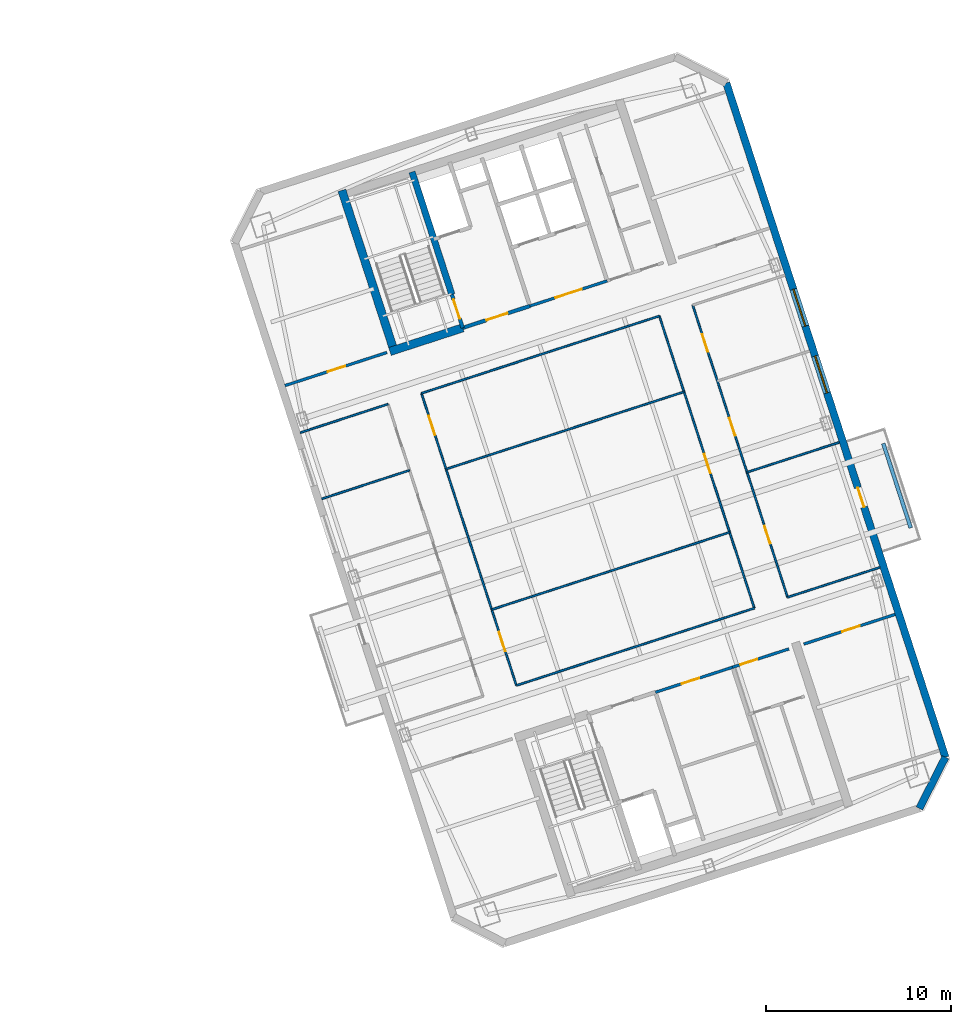
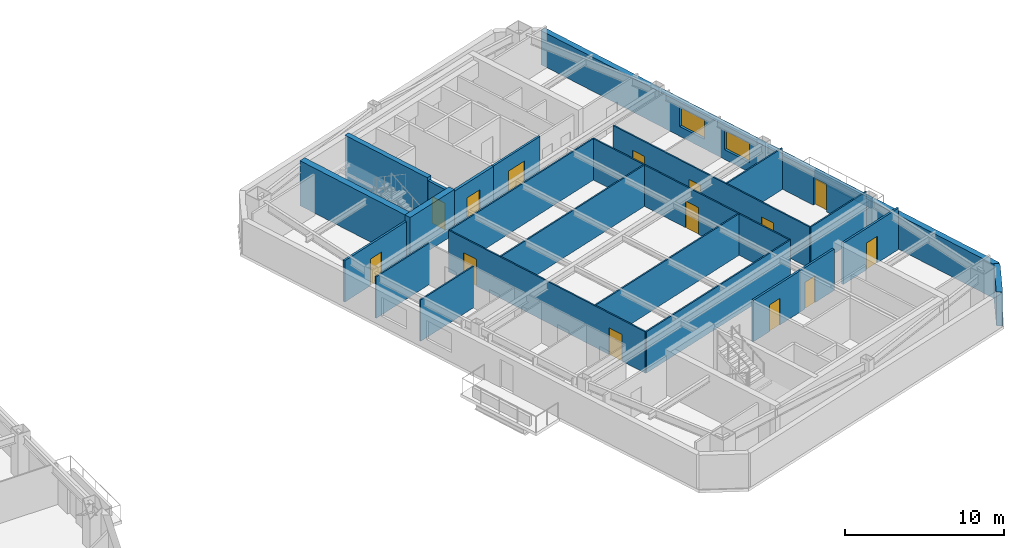
# One storey, part 9 of 15: 24 walls, 14 doors, 2 windows, 16 openings.
"""IFC4 building model written with IfcOpenShell, lengths in metres."""

from ifc_helpers import new_model, si_unit, direction, frame, frame_2d, origin, place, context, subcontext, project, spatial, rectangle, extrude, material, layer, layer_set, type_object, element, fill, save


model = new_model("IFC4")

# Units and contexts
model_context = context("Model", 3, precision=1e-05, world=origin(), true_north=direction((0.0, 1.0)))
body_context = subcontext(model_context, "Body", "Model", "MODEL_VIEW")
ifc_project = project(units=[si_unit("LENGTHUNIT", "METRE"), si_unit("AREAUNIT", "SQUARE_METRE"), si_unit("VOLUMEUNIT", "CUBIC_METRE"), si_unit("PLANEANGLEUNIT", "RADIAN"), si_unit("MASSUNIT", "GRAM", prefix="KILO")], contexts=[model_context])

# Site, building, storey
site_placement = place(None, origin())
site = spatial("IfcSite", under=ifc_project, at=site_placement, CompositionType="ELEMENT")
building_placement = place(site_placement, origin())
building = spatial("IfcBuilding", under=site, at=building_placement, Name="Qiaolan Cultural Towers", CompositionType="ELEMENT")
storey_placement = place(building_placement, frame((0.0, 0.0, 209.300048828125)))
storey = spatial("IfcBuildingStorey", under=building, at=storey_placement, Name="L56", CompositionType="ELEMENT", Elevation=209.300048828125)

# Walls
ifc_material_1 = material(Name="Concrete C50", Category="concrete")
ifc_layer_1 = layer(ifc_material_1, 0.35009765625)
ifc_layer_set_1 = layer_set([ifc_layer_1], Name="Concrete C50")
wall_type_1 = type_object("IfcWallType", Name="WL-CORE-350", PredefinedType="SHEAR", material=ifc_layer_set_1)
wall_1_placement = place(storey_placement, frame((82.513671875, 45.13134765625, 0.0), z_axis=(0.0, 0.0, 1.0), x_axis=(-0.308988790936, 0.951065679686, 0.0)))
element("IfcWall", 1, at=wall_1_placement, inside=storey, type_object=wall_type_1, Name="L56 T2-CN Stair Core Dividing Web", PredefinedType="SHEAR", context=body_context, shape_type="SweptSolid", body=[
    extrude(rectangle(XDim=6.97998046875, YDim=0.35009765625, at=frame_2d((3.489990234375, 0.0))), origin(), (0.0, 0.0, 1.0), 3.449951171875),
])
ifc_material_2 = material(Name="Concrete C50", Category="concrete")
ifc_layer_2 = layer(ifc_material_2, 0.449951171875)
ifc_layer_set_2 = layer_set([ifc_layer_2], Name="Concrete C50")
wall_type_2 = type_object("IfcWallType", Name="WL-CORE-450", PredefinedType="SHEAR", material=ifc_layer_set_2)
wall_2_placement = place(storey_placement, frame((79.4423828125, 41.899169921875, 0.0), z_axis=(0.0, 0.0, 1.0), x_axis=(-0.309035778627, 0.951050412717, 0.0)))
element("IfcWall", 2, at=wall_2_placement, inside=storey, type_object=wall_type_2, Name="L56 T2-CN West Core Shear Wall", PredefinedType="SHEAR", context=body_context, shape_type="SweptSolid", body=[
    extrude(rectangle(XDim=9.330078125, YDim=0.449951171875, at=frame_2d((4.6650390625, 0.0))), origin(), (0.0, 0.0, 1.0), 3.449951171875),
])
wall_3_placement = place(storey_placement, frame((79.15869140625, 42.04345703125, 0.0), z_axis=(0.0, 0.0, 1.0), x_axis=(0.951047485828, 0.309044785913, 0.0)))
element("IfcWall", 3, at=wall_3_placement, inside=storey, type_object=wall_type_2, Name="L56 T2-CN Stair Front Shear Wall", PredefinedType="SHEAR", context=body_context, shape_type="SweptSolid", body=[
    extrude(rectangle(XDim=4.14501953125, YDim=0.449951171875, at=frame_2d((2.072509765625, 0.0))), origin(), (0.0, 0.0, 1.0), 3.449951171875),
])

# Wall, openings, door, windows
ifc_material_3 = material(Name="Precast Concrete C50 Honed Stone Pier", Category="masonry")
ifc_layer_3 = layer(ifc_material_3, 0.39990234375)
ifc_layer_set_3 = layer_set([ifc_layer_3], Name="Precast Concrete C50 Honed Stone Pier")
wall_type_3 = type_object("IfcWallType", Name="WL-EXT-PIER-400", PredefinedType="SOLIDWALL", material=ifc_layer_set_3)
wall_4_placement = place(storey_placement, frame((97.381591796875, 56.58642578125, 0.0), z_axis=(0.0, 0.0, 1.0), x_axis=(0.309016491071, -0.951056679828, 0.0)))
wall_4 = element("IfcWall", 4, at=wall_4_placement, inside=storey, type_object=wall_type_3, Name="L56 East Tower Precast Pier Facade Wall F5", PredefinedType="SOLIDWALL", context=body_context, shape_type="SweptSolid", body=[
    extrude(rectangle(XDim=38.39990234375, YDim=0.39990234375, at=frame_2d((19.199951171875, 0.0))), origin(), (0.0, 0.0, 1.0), 2.60986328125),
])
opening_1_placement = place(wall_4_placement, frame((15.550048828125, 0.0, 0.75)))
opening_1 = element("IfcOpeningElement", 5, at=opening_1_placement, cuts=wall_4, Name="Opening W-05", PredefinedType="OPENING", context=body_context, shape_type="SweptSolid", body=[
    extrude(rectangle(XDim=2.10009765625, YDim=1.4599609375, at=frame_2d((1.050048828125, 0.72998046875))), frame((0.0, 0.2099609375, 0.0), z_axis=(0.0, -1.0, 0.0), x_axis=(1.0, 0.0, 0.0)), (0.0, 0.0, 1.0), 0.419921875),
])
opening_2_placement = place(wall_4_placement, frame((11.75, 0.0, 0.75)))
opening_2 = element("IfcOpeningElement", 6, at=opening_2_placement, cuts=wall_4, Name="Opening W-05", PredefinedType="OPENING", context=body_context, shape_type="SweptSolid", body=[
    extrude(rectangle(XDim=2.10009765625, YDim=1.4599609375, at=frame_2d((1.050048828125, 0.72998046875))), frame((0.0, 0.2099609375, 0.0), z_axis=(0.0, -1.0, 0.0), x_axis=(1.0, 0.0, 0.0)), (0.0, 0.0, 1.0), 0.419921875),
])
opening_3_placement = place(wall_4_placement, frame((23.050048828125, 0.0, 0.0)))
opening_3 = element("IfcOpeningElement", 7, at=opening_3_placement, cuts=wall_4, Name="Opening BD-01", PredefinedType="OPENING", context=body_context, shape_type="SweptSolid", body=[
    extrude(rectangle(XDim=1.10009765625, YDim=2.14990234375, at=frame_2d((0.550048828125, 1.074951171875))), frame((0.0, 0.2099609375, 0.0), z_axis=(0.0, -1.0, 0.0), x_axis=(1.0, 0.0, 0.0)), (0.0, 0.0, 1.0), 0.419921875),
])
ifc_material_4 = material(Name="Thermally Broken Aluminium Glazed Terrace Door", Category="aluminium")
door_type_1 = type_object("IfcDoorType", Name="DR-BAL-1100", OperationType="NOTDEFINED", PredefinedType="DOOR", material=ifc_material_4)
door_1_placement = place(opening_3_placement, origin())
door_1 = element("IfcDoor", 8, at=door_1_placement, inside=storey, type_object=door_type_1, Name="L56 T2 East Tree Balcony Door", OperationType="SINGLE_SWING_RIGHT", OverallHeight=2.14990234375, OverallWidth=1.10009765625, PredefinedType="DOOR", context=body_context, shape_type="SweptSolid", body=[
    extrude(rectangle(XDim=1.10009765625, YDim=2.14990234375, at=frame_2d((0.550048828125, 1.074951171875))), frame((0.0, 0.02490234375, 0.0), z_axis=(0.0, -1.0, 0.0), x_axis=(1.0, 0.0, 0.0)), (0.0, 0.0, 1.0), 0.050048828125),
])
fill(opening_3, door_1)
ifc_material_5 = material(Name="Thermally Broken Aluminium Triple Low-E Glazing", Category="aluminium")
window_type = type_object("IfcWindowType", Name="WN-CHIC-2100", PartitioningType="SINGLE_PANEL", PredefinedType="WINDOW", material=ifc_material_5)
window_1_placement = place(opening_1_placement, origin())
window_1 = element("IfcWindow", 9, at=window_1_placement, inside=storey, type_object=window_type, Name="L56 T2 E Chicago Bay Window 1", OverallHeight=1.4599609375, OverallWidth=2.10009765625, PartitioningType="TRIPLE_PANEL_VERTICAL", PredefinedType="WINDOW", context=body_context, shape_type="SweptSolid", body=[
    extrude(rectangle(XDim=2.10009765625, YDim=1.4599609375, at=frame_2d((1.050048828125, 0.72998046875))), frame((0.0, 0.030029296875, 0.0), z_axis=(0.0, -1.0, 0.0), x_axis=(1.0, 0.0, 0.0)), (0.0, 0.0, 1.0), 0.06005859375),
])
fill(opening_1, window_1)
window_2_placement = place(opening_2_placement, origin())
window_2 = element("IfcWindow", 10, at=window_2_placement, inside=storey, type_object=window_type, Name="L56 T2 E Chicago Bay Window 2", OverallHeight=1.4599609375, OverallWidth=2.10009765625, PartitioningType="TRIPLE_PANEL_VERTICAL", PredefinedType="WINDOW", context=body_context, shape_type="SweptSolid", body=[
    extrude(rectangle(XDim=2.10009765625, YDim=1.4599609375, at=frame_2d((1.050048828125, 0.72998046875))), frame((0.0, 0.030029296875, 0.0), z_axis=(0.0, -1.0, 0.0), x_axis=(1.0, 0.0, 0.0)), (0.0, 0.0, 1.0), 0.06005859375),
])
fill(opening_2, window_2)

# Wall
wall_5_placement = place(storey_placement, frame((109.247802734375, 20.06591796875, 0.0), z_axis=(0.0, 0.0, 1.0), x_axis=(-0.453949291228, -0.891027519774, 0.0)))
element("IfcWall", 11, at=wall_5_placement, inside=storey, type_object=wall_type_3, Name="L56 East Tower Precast Pier Facade Wall F6", PredefinedType="SOLIDWALL", context=body_context, shape_type="SweptSolid", body=[
    extrude(rectangle(XDim=3.111328125, YDim=0.39990234375, at=frame_2d((1.5556640625, 0.0))), origin(), (0.0, 0.0, 1.0), 2.60986328125),
])

# Wall, opening, door
ifc_material_6 = material(Name="Concrete C35 Fire Wall", Category="concrete")
ifc_layer_4 = layer(ifc_material_6, 0.199951171875)
ifc_layer_set_4 = layer_set([ifc_layer_4], Name="Concrete C35 Fire Wall")
wall_type_4 = type_object("IfcWallType", Name="WL-FIRE-200", PredefinedType="PARTITIONING", material=ifc_layer_set_4)
wall_6_placement = place(storey_placement, frame((83.100830078125, 43.324462890625, 0.0), z_axis=(0.0, 0.0, 1.0), x_axis=(-0.309048298632, 0.951046344356, 0.0)))
wall_6 = element("IfcWall", 12, at=wall_6_placement, inside=storey, type_object=wall_type_4, Name="L56 T2-CN Smokeproof Stair Entry Wall", PredefinedType="PARTITIONING", context=body_context, shape_type="SweptSolid", body=[
    extrude(rectangle(XDim=1.89990234375, YDim=0.199951171875, at=frame_2d((0.949951171875, 0.0))), origin(), (0.0, 0.0, 1.0), 3.175048828125),
])
opening_4_placement = place(wall_6_placement, frame((0.52001953125, 0.0, 0.0)))
opening_4 = element("IfcOpeningElement", 13, at=opening_4_placement, cuts=wall_6, Name="Opening FD-04", PredefinedType="OPENING", context=body_context, shape_type="SweptSolid", body=[
    extrude(rectangle(XDim=1.10009765625, YDim=2.050048828125, at=frame_2d((0.550048828125, 1.02490234375))), frame((0.0, 0.10986328125, 0.0), z_axis=(0.0, -1.0, 0.0), x_axis=(1.0, 0.0, 0.0)), (0.0, 0.0, 1.0), 0.219970703125),
])
ifc_material_7 = material(Name="Galvanized Steel Command Fire Door", Category="steel")
door_type_2 = type_object("IfcDoorType", Name="DR-FD90-1100", OperationType="NOTDEFINED", PredefinedType="DOOR", material=ifc_material_7)
door_2_placement = place(opening_4_placement, origin())
door_2 = element("IfcDoor", 14, at=door_2_placement, inside=storey, type_object=door_type_2, Name="L56 ST-E2 Smokeproof Stair Fire Door", OperationType="SINGLE_SWING_LEFT", OverallHeight=2.050048828125, OverallWidth=1.10009765625, PredefinedType="DOOR", context=body_context, shape_type="SweptSolid", body=[
    extrude(rectangle(XDim=1.10009765625, YDim=2.050048828125, at=frame_2d((0.550048828125, 1.02490234375))), frame((0.0, 0.02490234375, 0.0), z_axis=(0.0, -1.0, 0.0), x_axis=(1.0, 0.0, 0.0)), (0.0, 0.0, 1.0), 0.050048828125),
])
fill(opening_4, door_2)

wall_7_placement = place(storey_placement, frame((83.100830078125, 43.324462890625, 0.0), z_axis=(0.0, 0.0, 1.0), x_axis=(0.951052804469, 0.309028417967, 0.0)))
wall_7 = element("IfcWall", 15, at=wall_7_placement, inside=storey, type_object=wall_type_4, Name="L56 T2-CN Firefighting Lobby Front Wall", PredefinedType="PARTITIONING", context=body_context, shape_type="SweptSolid", body=[
    extrude(rectangle(XDim=3.830078125, YDim=0.199951171875, at=frame_2d((1.9150390625, 0.0))), origin(), (0.0, 0.0, 1.0), 3.175048828125),
])
opening_5_placement = place(wall_7_placement, frame((1.35009765625, 0.0, 0.0)))
opening_5 = element("IfcOpeningElement", 16, at=opening_5_placement, cuts=wall_7, Name="Opening FD-03", PredefinedType="OPENING", context=body_context, shape_type="SweptSolid", body=[
    extrude(rectangle(XDim=1.199951171875, YDim=2.050048828125, at=frame_2d((0.60009765625, 1.02490234375))), frame((0.0, 0.10986328125, 0.0), z_axis=(0.0, -1.0, 0.0), x_axis=(1.0, 0.0, 0.0)), (0.0, 0.0, 1.0), 0.219970703125),
])
ifc_material_8 = material(Name="Galvanized Steel Smokeproof Lobby Fire Door", Category="steel")
door_type_3 = type_object("IfcDoorType", Name="DR-FD90-1200", OperationType="NOTDEFINED", PredefinedType="DOOR", material=ifc_material_8)
door_3_placement = place(opening_5_placement, origin())
door_3 = element("IfcDoor", 17, at=door_3_placement, inside=storey, type_object=door_type_3, Name="L56 FFL-E2 Firefighting Lobby Fire Door", OperationType="SINGLE_SWING_LEFT", OverallHeight=2.050048828125, OverallWidth=1.199951171875, PredefinedType="DOOR", context=body_context, shape_type="SweptSolid", body=[
    extrude(rectangle(XDim=1.199951171875, YDim=2.050048828125, at=frame_2d((0.60009765625, 1.02490234375))), frame((0.0, 0.02490234375, 0.0), z_axis=(0.0, -1.0, 0.0), x_axis=(1.0, 0.0, 0.0)), (0.0, 0.0, 1.0), 0.050048828125),
])
fill(opening_5, door_3)

# Walls
ifc_material_9 = material(Name="Acoustic Double-Glazed Partition Frame", Category="glass")
ifc_layer_5 = layer(ifc_material_9, 0.10009765625)
ifc_layer_set_5 = layer_set([ifc_layer_5], Name="Acoustic Double-Glazed Partition Frame")
wall_type_5 = type_object("IfcWallType", Name="WL-GLAZED-100", PredefinedType="MOVABLE", material=ifc_layer_set_5)
wall_8_placement = place(storey_placement, frame((86.0087890625, 23.955078125, 0.0), z_axis=(0.0, 0.0, 1.0), x_axis=(0.951059488241, 0.309007847517, 0.0)))
element("IfcWall", 18, at=wall_8_placement, inside=storey, type_object=wall_type_5, Name="L56 T2 Interior Wall", PredefinedType="MOVABLE", context=body_context, shape_type="SweptSolid", body=[
    extrude(rectangle(XDim=13.5498046875, YDim=0.10009765625, at=frame_2d((6.77490234375, 0.0))), origin(), (0.0, 0.0, 1.0), 3.175048828125),
])
wall_9_placement = place(storey_placement, frame((100.70263671875, 28.729248046875, 0.0), z_axis=(0.0, 0.0, 1.0), x_axis=(0.951055596592, 0.309019824916, 0.0)))
element("IfcWall", 19, at=wall_9_placement, inside=storey, type_object=wall_type_5, Name="L56 T2 Interior Wall", PredefinedType="MOVABLE", context=body_context, shape_type="SweptSolid", body=[
    extrude(rectangle(XDim=5.249755859375, YDim=0.10009765625, at=frame_2d((2.625, 0.0))), origin(), (0.0, 0.0, 1.0), 3.175048828125),
])
wall_10_placement = place(storey_placement, frame((74.304443359375, 37.6484375, 0.0), z_axis=(0.0, 0.0, 1.0), x_axis=(0.951063130697, 0.308996636599, 0.0)))
element("IfcWall", 20, at=wall_10_placement, inside=storey, type_object=wall_type_5, Name="L56 T2 Interior Wall", PredefinedType="MOVABLE", context=body_context, shape_type="SweptSolid", body=[
    extrude(rectangle(XDim=4.999755859375, YDim=0.10009765625, at=frame_2d((2.5, 0.0))), origin(), (0.0, 0.0, 1.0), 3.175048828125),
])
wall_11_placement = place(storey_placement, frame((80.86669921875, 39.780517578125, 0.0), z_axis=(0.0, 0.0, 1.0), x_axis=(0.951054192928, 0.309024144872, 0.0)))
element("IfcWall", 21, at=wall_11_placement, inside=storey, type_object=wall_type_5, Name="L56 T2 Interior Wall", PredefinedType="MOVABLE", context=body_context, shape_type="SweptSolid", body=[
    extrude(rectangle(XDim=13.550048828125, YDim=0.10009765625, at=frame_2d((6.77490234375, 0.0))), origin(), (0.0, 0.0, 1.0), 3.175048828125),
])

# Wall, openings, doors
wall_12_placement = place(storey_placement, frame((86.0087890625, 23.955078125, 0.0), z_axis=(0.0, 0.0, 1.0), x_axis=(-0.309022042254, 0.951054876125, 0.0)))
wall_12 = element("IfcWall", 22, at=wall_12_placement, inside=storey, type_object=wall_type_5, Name="L56 T2 Interior Wall", PredefinedType="MOVABLE", context=body_context, shape_type="SweptSolid", body=[
    extrude(rectangle(XDim=16.639892578125, YDim=0.10009765625, at=frame_2d((8.31982421875, 0.0))), origin(), (0.0, 0.0, 1.0), 3.175048828125),
])
opening_6_placement = place(wall_12_placement, frame((1.944091796875, 0.0, 0.0)))
opening_6 = element("IfcOpeningElement", 23, at=opening_6_placement, cuts=wall_12, Name="Opening ID-03", PredefinedType="OPENING", context=body_context, shape_type="SweptSolid", body=[
    extrude(rectangle(XDim=1.10009765625, YDim=2.050048828125, at=frame_2d((0.550048828125, 1.02490234375))), frame((0.0, 0.06005859375, 0.0), z_axis=(0.0, -1.0, 0.0), x_axis=(1.0, 0.0, 0.0)), (0.0, 0.0, 1.0), 0.1201171875),
])
opening_7_placement = place(wall_12_placement, frame((14.263916015625, 0.0, 0.0)))
opening_7 = element("IfcOpeningElement", 24, at=opening_7_placement, cuts=wall_12, Name="Opening ID-03", PredefinedType="OPENING", context=body_context, shape_type="SweptSolid", body=[
    extrude(rectangle(XDim=1.10009765625, YDim=2.050048828125, at=frame_2d((0.550048828125, 1.02490234375))), frame((0.0, 0.06005859375, 0.0), z_axis=(0.0, -1.0, 0.0), x_axis=(1.0, 0.0, 0.0)), (0.0, 0.0, 1.0), 0.1201171875),
])
ifc_material_10 = material(Name="Oak Veneer Solid-Core Boardroom Door", Category="timber")
door_type_4 = type_object("IfcDoorType", Name="DR-INT-1100", OperationType="NOTDEFINED", PredefinedType="DOOR", material=ifc_material_10)
door_4_placement = place(opening_6_placement, origin())
door_4 = element("IfcDoor", 25, at=door_4_placement, inside=storey, type_object=door_type_4, Name="L56 T2 Central Boardroom Door", OperationType="SINGLE_SWING_LEFT", OverallHeight=2.050048828125, OverallWidth=1.10009765625, PredefinedType="DOOR", context=body_context, shape_type="SweptSolid", body=[
    extrude(rectangle(XDim=1.10009765625, YDim=2.050048828125, at=frame_2d((0.550048828125, 1.02490234375))), frame((0.0, 0.02490234375, 0.0), z_axis=(0.0, -1.0, 0.0), x_axis=(1.0, 0.0, 0.0)), (0.0, 0.0, 1.0), 0.050048828125),
])
fill(opening_6, door_4)
door_5_placement = place(opening_7_placement, origin())
door_5 = element("IfcDoor", 26, at=door_5_placement, inside=storey, type_object=door_type_4, Name="L56 T2 Central Archive Room Door", OperationType="SINGLE_SWING_RIGHT", OverallHeight=2.050048828125, OverallWidth=1.10009765625, PredefinedType="DOOR", context=body_context, shape_type="SweptSolid", body=[
    extrude(rectangle(XDim=1.10009765625, YDim=2.050048828125, at=frame_2d((0.550048828125, 1.02490234375))), frame((0.0, 0.02490234375, 0.0), z_axis=(0.0, -1.0, 0.0), x_axis=(1.0, 0.0, 0.0)), (0.0, 0.0, 1.0), 0.050048828125),
])
fill(opening_7, door_5)

# Wall, opening, door
wall_13_placement = place(storey_placement, frame((98.8955078125, 28.14208984375, 0.0), z_axis=(0.0, 0.0, 1.0), x_axis=(-0.30901773025, 0.951056277195, 0.0)))
wall_13 = element("IfcWall", 27, at=wall_13_placement, inside=storey, type_object=wall_type_5, Name="L56 T2 Interior Wall", PredefinedType="MOVABLE", context=body_context, shape_type="SweptSolid", body=[
    extrude(rectangle(XDim=16.64013671875, YDim=0.10009765625, at=frame_2d((8.320068359375, 0.0))), origin(), (0.0, 0.0, 1.0), 3.175048828125),
])
opening_8_placement = place(wall_13_placement, frame((7.679931640625, 0.0, 0.0)))
opening_8 = element("IfcOpeningElement", 28, at=opening_8_placement, cuts=wall_13, Name="Opening ID-03", PredefinedType="OPENING", context=body_context, shape_type="SweptSolid", body=[
    extrude(rectangle(XDim=1.10009765625, YDim=2.050048828125, at=frame_2d((0.550048828125, 1.02490234375))), frame((0.0, 0.06005859375, 0.0), z_axis=(0.0, -1.0, 0.0), x_axis=(1.0, 0.0, 0.0)), (0.0, 0.0, 1.0), 0.1201171875),
])
door_6_placement = place(opening_8_placement, origin())
door_6 = element("IfcDoor", 29, at=door_6_placement, inside=storey, type_object=door_type_4, Name="L56 T2 Central Study Salon Door", OperationType="SINGLE_SWING_LEFT", OverallHeight=2.050048828125, OverallWidth=1.10009765625, PredefinedType="DOOR", context=body_context, shape_type="SweptSolid", body=[
    extrude(rectangle(XDim=1.10009765625, YDim=2.050048828125, at=frame_2d((0.550048828125, 1.02490234375))), frame((0.0, 0.02490234375, 0.0), z_axis=(0.0, -1.0, 0.0), x_axis=(1.0, 0.0, 0.0)), (0.0, 0.0, 1.0), 0.050048828125),
])
fill(opening_8, door_6)

# Wall, openings, doors
wall_14_placement = place(storey_placement, frame((100.70263671875, 28.729248046875, 0.0), z_axis=(0.0, 0.0, 1.0), x_axis=(-0.30901773025, 0.951056277195, 0.0)))
wall_14 = element("IfcWall", 30, at=wall_14_placement, inside=storey, type_object=wall_type_5, Name="L56 T2 Interior Wall", PredefinedType="MOVABLE", context=body_context, shape_type="SweptSolid", body=[
    extrude(rectangle(XDim=16.64013671875, YDim=0.10009765625, at=frame_2d((8.320068359375, 0.0))), origin(), (0.0, 0.0, 1.0), 3.175048828125),
])
opening_9_placement = place(wall_14_placement, frame((3.06005859375, 0.0, 0.0)))
opening_9 = element("IfcOpeningElement", 31, at=opening_9_placement, cuts=wall_14, Name="Opening ID-04", PredefinedType="OPENING", context=body_context, shape_type="SweptSolid", body=[
    extrude(rectangle(XDim=1.0, YDim=2.050048828125, at=frame_2d((0.5, 1.02490234375))), frame((0.0, 0.06005859375, 0.0), z_axis=(0.0, -1.0, 0.0), x_axis=(1.0, 0.0, 0.0)), (0.0, 0.0, 1.0), 0.1201171875),
])
opening_10_placement = place(wall_14_placement, frame((9.219970703125, 0.0, 0.0)))
opening_10 = element("IfcOpeningElement", 32, at=opening_10_placement, cuts=wall_14, Name="Opening ID-04", PredefinedType="OPENING", context=body_context, shape_type="SweptSolid", body=[
    extrude(rectangle(XDim=1.0, YDim=2.050048828125, at=frame_2d((0.5, 1.02490234375))), frame((0.0, 0.06005859375, 0.0), z_axis=(0.0, -1.0, 0.0), x_axis=(1.0, 0.0, 0.0)), (0.0, 0.0, 1.0), 0.1201171875),
])
opening_11_placement = place(wall_14_placement, frame((13.97998046875, 0.0, 0.0)))
opening_11 = element("IfcOpeningElement", 33, at=opening_11_placement, cuts=wall_14, Name="Opening ID-04", PredefinedType="OPENING", context=body_context, shape_type="SweptSolid", body=[
    extrude(rectangle(XDim=1.0, YDim=2.050048828125, at=frame_2d((0.5, 1.02490234375))), frame((0.0, 0.06005859375, 0.0), z_axis=(0.0, -1.0, 0.0), x_axis=(1.0, 0.0, 0.0)), (0.0, 0.0, 1.0), 0.1201171875),
])
ifc_material_11 = material(Name="Oak Veneer Acoustic Office Door", Category="timber")
door_type_5 = type_object("IfcDoorType", Name="DR-INT-1000", OperationType="NOTDEFINED", PredefinedType="DOOR", material=ifc_material_11)
door_7_placement = place(opening_9_placement, origin())
door_7 = element("IfcDoor", 34, at=door_7_placement, inside=storey, type_object=door_type_5, Name="L56 T2 Research Director Office Door", OperationType="SINGLE_SWING_RIGHT", OverallHeight=2.050048828125, OverallWidth=1.0, PredefinedType="DOOR", context=body_context, shape_type="SweptSolid", body=[
    extrude(rectangle(XDim=1.0, YDim=2.050048828125, at=frame_2d((0.5, 1.02490234375))), frame((0.0, 0.02490234375, 0.0), z_axis=(0.0, -1.0, 0.0), x_axis=(1.0, 0.0, 0.0)), (0.0, 0.0, 1.0), 0.050048828125),
])
fill(opening_9, door_7)
door_8_placement = place(opening_10_placement, origin())
door_8 = element("IfcDoor", 35, at=door_8_placement, inside=storey, type_object=door_type_5, Name="L56 T2 Strategy Meeting Room Door", OperationType="SINGLE_SWING_LEFT", OverallHeight=2.050048828125, OverallWidth=1.0, PredefinedType="DOOR", context=body_context, shape_type="SweptSolid", body=[
    extrude(rectangle(XDim=1.0, YDim=2.050048828125, at=frame_2d((0.5, 1.02490234375))), frame((0.0, 0.02490234375, 0.0), z_axis=(0.0, -1.0, 0.0), x_axis=(1.0, 0.0, 0.0)), (0.0, 0.0, 1.0), 0.050048828125),
])
fill(opening_10, door_8)
door_9_placement = place(opening_11_placement, origin())
door_9 = element("IfcDoor", 36, at=door_9_placement, inside=storey, type_object=door_type_5, Name="L56 T2 Gallery Salon Door", OperationType="SINGLE_SWING_RIGHT", OverallHeight=2.050048828125, OverallWidth=1.0, PredefinedType="DOOR", context=body_context, shape_type="SweptSolid", body=[
    extrude(rectangle(XDim=1.0, YDim=2.050048828125, at=frame_2d((0.5, 1.02490234375))), frame((0.0, 0.02490234375, 0.0), z_axis=(0.0, -1.0, 0.0), x_axis=(1.0, 0.0, 0.0)), (0.0, 0.0, 1.0), 0.050048828125),
])
fill(opening_11, door_9)

# Walls
wall_15_placement = place(storey_placement, frame((84.673828125, 28.0634765625, 0.0), z_axis=(0.0, 0.0, 1.0), x_axis=(0.951054192928, 0.309024144872, 0.0)))
element("IfcWall", 37, at=wall_15_placement, inside=storey, type_object=wall_type_5, Name="L56 T2 Interior Wall", PredefinedType="MOVABLE", context=body_context, shape_type="SweptSolid", body=[
    extrude(rectangle(XDim=13.550048828125, YDim=0.10009765625, at=frame_2d((6.77490234375, 0.0))), origin(), (0.0, 0.0, 1.0), 3.175048828125),
])
wall_16_placement = place(storey_placement, frame((82.20166015625, 35.672119140625, 0.0), z_axis=(0.0, 0.0, 1.0), x_axis=(0.951059488241, 0.309007847517, 0.0)))
element("IfcWall", 38, at=wall_16_placement, inside=storey, type_object=wall_type_5, Name="L56 T2 Interior Wall", PredefinedType="MOVABLE", context=body_context, shape_type="SweptSolid", body=[
    extrude(rectangle(XDim=13.5498046875, YDim=0.10009765625, at=frame_2d((6.77490234375, 0.0))), origin(), (0.0, 0.0, 1.0), 3.175048828125),
])
wall_17_placement = place(storey_placement, frame((75.46923828125, 34.0634765625, 0.0), z_axis=(0.0, 0.0, 1.0), x_axis=(0.951053443117, 0.309026452484, 0.0)))
element("IfcWall", 39, at=wall_17_placement, inside=storey, type_object=wall_type_5, Name="L56 T2 Interior Wall", PredefinedType="MOVABLE", context=body_context, shape_type="SweptSolid", body=[
    extrude(rectangle(XDim=5.0, YDim=0.10009765625, at=frame_2d((2.5, 0.0))), origin(), (0.0, 0.0, 1.0), 3.175048828125),
])
wall_18_placement = place(storey_placement, frame((98.50244140625, 35.500732421875, 0.0), z_axis=(0.0, 0.0, 1.0), x_axis=(0.951055596592, 0.309019824916, 0.0)))
element("IfcWall", 40, at=wall_18_placement, inside=storey, type_object=wall_type_5, Name="L56 T2 Interior Wall", PredefinedType="MOVABLE", context=body_context, shape_type="SweptSolid", body=[
    extrude(rectangle(XDim=5.249755859375, YDim=0.10009765625, at=frame_2d((2.625, 0.0))), origin(), (0.0, 0.0, 1.0), 3.175048828125),
])

# Wall, opening, door
ifc_material_12 = material(Name="Autoclaved Aerated Concrete Block B06", Category="concrete")
ifc_layer_6 = layer(ifc_material_12, 0.14990234375)
ifc_layer_set_6 = layer_set([ifc_layer_6], Name="Autoclaved Aerated Concrete Block B06")
wall_type_6 = type_object("IfcWallType", Name="WL-PART-150", PredefinedType="PARTITIONING", material=ifc_layer_set_6)
wall_19_placement = place(storey_placement, frame((93.541748046875, 23.584716796875, 0.0), z_axis=(0.0, 0.0, 1.0), x_axis=(0.951063829732, 0.308994485023, 0.0)))
wall_19 = element("IfcWall", 41, at=wall_19_placement, inside=storey, type_object=wall_type_6, Name="L56 T2-CS Reclaimed Core Room Front Wall", PredefinedType="PARTITIONING", context=body_context, shape_type="SweptSolid", body=[
    extrude(rectangle(XDim=4.400146484375, YDim=0.14990234375, at=frame_2d((2.2001953125, 0.0))), origin(), (0.0, 0.0, 1.0), 3.175048828125),
])
opening_12_placement = place(wall_19_placement, frame((1.5, 0.0, 0.0)))
opening_12 = element("IfcOpeningElement", 42, at=opening_12_placement, cuts=wall_19, Name="Opening ID-04", PredefinedType="OPENING", context=body_context, shape_type="SweptSolid", body=[
    extrude(rectangle(XDim=1.0, YDim=2.050048828125, at=frame_2d((0.5, 1.02490234375))), frame((0.0, 0.0849609375, 0.0), z_axis=(0.0, -1.0, 0.0), x_axis=(1.0, 0.0, 0.0)), (0.0, 0.0, 1.0), 0.169921875),
])
door_10_placement = place(opening_12_placement, origin())
door_10 = element("IfcDoor", 43, at=door_10_placement, inside=storey, type_object=door_type_5, Name="L56 Focus Pod Room Door", OperationType="SINGLE_SWING_LEFT", OverallHeight=2.050048828125, OverallWidth=1.0, PredefinedType="DOOR", context=body_context, shape_type="SweptSolid", body=[
    extrude(rectangle(XDim=1.0, YDim=2.050048828125, at=frame_2d((0.5, 1.02490234375))), frame((0.0, 0.02490234375, 0.0), z_axis=(0.0, -1.0, 0.0), x_axis=(1.0, 0.0, 0.0)), (0.0, 0.0, 1.0), 0.050048828125),
])
fill(opening_12, door_10)

wall_20_placement = place(storey_placement, frame((97.7265625, 24.9443359375, 0.0), z_axis=(0.0, 0.0, 1.0), x_axis=(0.951036872128, 0.309077446369, 0.0)))
wall_20 = element("IfcWall", 44, at=wall_20_placement, inside=storey, type_object=wall_type_6, Name="L56 T2-CS Sanitary Core Front Wall", PredefinedType="PARTITIONING", context=body_context, shape_type="SweptSolid", body=[
    extrude(rectangle(XDim=3.199951171875, YDim=0.14990234375, at=frame_2d((1.60009765625, 0.0))), origin(), (0.0, 0.0, 1.0), 3.175048828125),
])
opening_13_placement = place(wall_20_placement, frame((0.449951171875, 0.0, 0.0)))
opening_13 = element("IfcOpeningElement", 45, at=opening_13_placement, cuts=wall_20, Name="Opening ID-05", PredefinedType="OPENING", context=body_context, shape_type="SweptSolid", body=[
    extrude(rectangle(XDim=0.949951171875, YDim=2.050048828125, at=frame_2d((0.47509765625, 1.02490234375))), frame((0.0, 0.0849609375, 0.0), z_axis=(0.0, -1.0, 0.0), x_axis=(1.0, 0.0, 0.0)), (0.0, 0.0, 1.0), 0.169921875),
])
ifc_material_13 = material(Name="Fire-Rated Laminate Accessible Core Door", Category="timber")
door_type_6 = type_object("IfcDoorType", Name="DR-INT-950", OperationType="NOTDEFINED", PredefinedType="DOOR", material=ifc_material_13)
door_11_placement = place(opening_13_placement, origin())
door_11 = element("IfcDoor", 46, at=door_11_placement, inside=storey, type_object=door_type_6, Name="L56 Sanitary Vestibule Door", OperationType="SINGLE_SWING_LEFT", OverallHeight=2.050048828125, OverallWidth=0.949951171875, PredefinedType="DOOR", context=body_context, shape_type="SweptSolid", body=[
    extrude(rectangle(XDim=0.949951171875, YDim=2.050048828125, at=frame_2d((0.47509765625, 1.02490234375))), frame((0.0, 0.02490234375, 0.0), z_axis=(0.0, -1.0, 0.0), x_axis=(1.0, 0.0, 0.0)), (0.0, 0.0, 1.0), 0.050048828125),
])
fill(opening_13, door_11)

wall_21_placement = place(storey_placement, frame((86.743408203125, 44.508056640625, 0.0), z_axis=(0.0, 0.0, 1.0), x_axis=(0.951063829732, 0.308994485023, 0.0)))
wall_21 = element("IfcWall", 47, at=wall_21_placement, inside=storey, type_object=wall_type_6, Name="L56 T2-CN Passenger Lift Lobby Front Wall", PredefinedType="PARTITIONING", context=body_context, shape_type="SweptSolid", body=[
    extrude(rectangle(XDim=4.400146484375, YDim=0.14990234375, at=frame_2d((2.2001953125, 0.0))), origin(), (0.0, 0.0, 1.0), 3.175048828125),
])
opening_14_placement = place(wall_21_placement, frame((1.449951171875, 0.0, 0.0)))
opening_14 = element("IfcOpeningElement", 48, at=opening_14_placement, cuts=wall_21, Name="Opening FD-05", PredefinedType="OPENING", context=body_context, shape_type="SweptSolid", body=[
    extrude(rectangle(XDim=1.5, YDim=2.050048828125, at=frame_2d((0.75, 1.02490234375))), frame((0.0, 0.0849609375, 0.0), z_axis=(0.0, -1.0, 0.0), x_axis=(1.0, 0.0, 0.0)), (0.0, 0.0, 1.0), 0.169921875),
])
ifc_material_14 = material(Name="Painted Steel Lift Lobby Fire Door", Category="steel")
door_type_7 = type_object("IfcDoorType", Name="DR-FD60-1500", OperationType="NOTDEFINED", PredefinedType="DOOR", material=ifc_material_14)
door_12_placement = place(opening_14_placement, origin())
door_12 = element("IfcDoor", 49, at=door_12_placement, inside=storey, type_object=door_type_7, Name="L56 Passenger Lift Lobby Entrance", OperationType="SINGLE_SWING_LEFT", OverallHeight=2.050048828125, OverallWidth=1.5, PredefinedType="DOOR", context=body_context, shape_type="SweptSolid", body=[
    extrude(rectangle(XDim=1.5, YDim=2.050048828125, at=frame_2d((0.75, 1.02490234375))), frame((0.0, 0.02490234375, 0.0), z_axis=(0.0, -1.0, 0.0), x_axis=(1.0, 0.0, 0.0)), (0.0, 0.0, 1.0), 0.050048828125),
])
fill(opening_14, door_12)

wall_22_placement = place(storey_placement, frame((101.578369140625, 26.196044921875, 0.0), z_axis=(0.0, 0.0, 1.0), x_axis=(0.951064427824, 0.308992644131, 0.0)))
wall_22 = element("IfcWall", 50, at=wall_22_placement, inside=storey, type_object=wall_type_6, Name="L56 T2 Flank Front FLK-SE", PredefinedType="PARTITIONING", context=body_context, shape_type="SweptSolid", body=[
    extrude(rectangle(XDim=5.19970703125, YDim=0.14990234375, at=frame_2d((2.599853515625, 0.0))), origin(), (0.0, 0.0, 1.0), 3.175048828125),
])
opening_15_placement = place(wall_22_placement, frame((2.18408203125, 0.0, 0.0)))
opening_15 = element("IfcOpeningElement", 51, at=opening_15_placement, cuts=wall_22, Name="Opening ID-04", PredefinedType="OPENING", context=body_context, shape_type="SweptSolid", body=[
    extrude(rectangle(XDim=1.0, YDim=2.050048828125, at=frame_2d((0.5, 1.02490234375))), frame((0.0, 0.0849609375, 0.0), z_axis=(0.0, -1.0, 0.0), x_axis=(1.0, 0.0, 0.0)), (0.0, 0.0, 1.0), 0.169921875),
])
door_13_placement = place(opening_15_placement, origin())
door_13 = element("IfcDoor", 52, at=door_13_placement, inside=storey, type_object=door_type_5, Name="L56 T2 Corner Studio Door", OperationType="SINGLE_SWING_LEFT", OverallHeight=2.050048828125, OverallWidth=1.0, PredefinedType="DOOR", context=body_context, shape_type="SweptSolid", body=[
    extrude(rectangle(XDim=1.0, YDim=2.050048828125, at=frame_2d((0.5, 1.02490234375))), frame((0.0, 0.02490234375, 0.0), z_axis=(0.0, -1.0, 0.0), x_axis=(1.0, 0.0, 0.0)), (0.0, 0.0, 1.0), 0.050048828125),
])
fill(opening_15, door_13)

wall_23_placement = place(storey_placement, frame((73.476318359375, 40.197265625, 0.0), z_axis=(0.0, 0.0, 1.0), x_axis=(0.951059431056, 0.309008023519, 0.0)))
wall_23 = element("IfcWall", 53, at=wall_23_placement, inside=storey, type_object=wall_type_6, Name="L56 T2 Flank Front FLK-NW", PredefinedType="PARTITIONING", context=body_context, shape_type="SweptSolid", body=[
    extrude(rectangle(XDim=5.800048828125, YDim=0.14990234375, at=frame_2d((2.89990234375, 0.0))), origin(), (0.0, 0.0, 1.0), 3.175048828125),
])
opening_16_placement = place(wall_23_placement, frame((2.43603515625, 0.0, 0.0)))
opening_16 = element("IfcOpeningElement", 54, at=opening_16_placement, cuts=wall_23, Name="Opening ID-04", PredefinedType="OPENING", context=body_context, shape_type="SweptSolid", body=[
    extrude(rectangle(XDim=1.0, YDim=2.050048828125, at=frame_2d((0.5, 1.02490234375))), frame((0.0, 0.0849609375, 0.0), z_axis=(0.0, -1.0, 0.0), x_axis=(1.0, 0.0, 0.0)), (0.0, 0.0, 1.0), 0.169921875),
])
door_14_placement = place(opening_16_placement, origin())
door_14 = element("IfcDoor", 55, at=door_14_placement, inside=storey, type_object=door_type_5, Name="L56 T2 Corner Studio Door", OperationType="SINGLE_SWING_LEFT", OverallHeight=2.050048828125, OverallWidth=1.0, PredefinedType="DOOR", context=body_context, shape_type="SweptSolid", body=[
    extrude(rectangle(XDim=1.0, YDim=2.050048828125, at=frame_2d((0.5, 1.02490234375))), frame((0.0, 0.02490234375, 0.0), z_axis=(0.0, -1.0, 0.0), x_axis=(1.0, 0.0, 0.0)), (0.0, 0.0, 1.0), 0.050048828125),
])
fill(opening_16, door_14)

# Wall
ifc_material_15 = material(Name="Precast Concrete C45 Tree Planter Upstand", Category="concrete")
ifc_layer_7 = layer(ifc_material_15, 0.199951171875)
ifc_layer_set_7 = layer_set([ifc_layer_7], Name="Precast Concrete C45 Tree Planter Upstand")
wall_type_7 = type_object("IfcWallType", Name="WL-PLANTER-200", PredefinedType="PARAPET", material=ifc_layer_set_7)
wall_24_placement = place(storey_placement, frame((107.36572265625, 32.492431640625, 0.0), z_axis=(0.0, 0.0, 1.0), x_axis=(-0.308986014439, 0.951066581729, 0.0)))
element("IfcWall", 56, at=wall_24_placement, inside=storey, type_object=wall_type_7, Name="L56 T2 Tree Balcony Soil Planter Box E", PredefinedType="PARAPET", context=body_context, shape_type="SweptSolid", body=[
    extrude(rectangle(XDim=4.800048828125, YDim=0.199951171875, at=frame_2d((2.39990234375, 0.0))), origin(), (0.0, 0.0, 1.0), 0.75),
])

save(model, "model.ifc")
